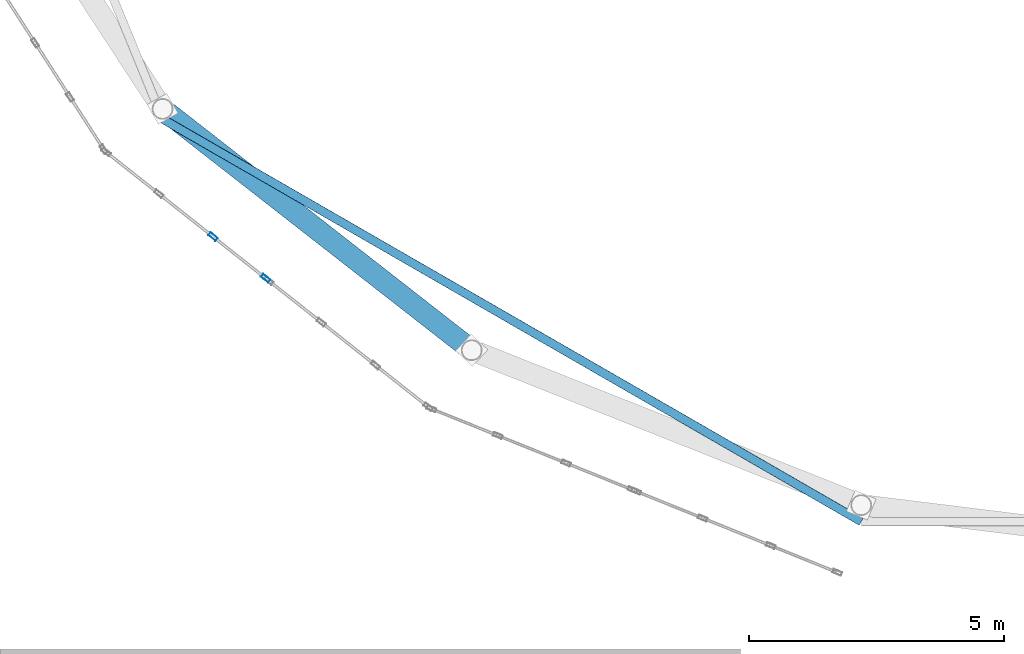
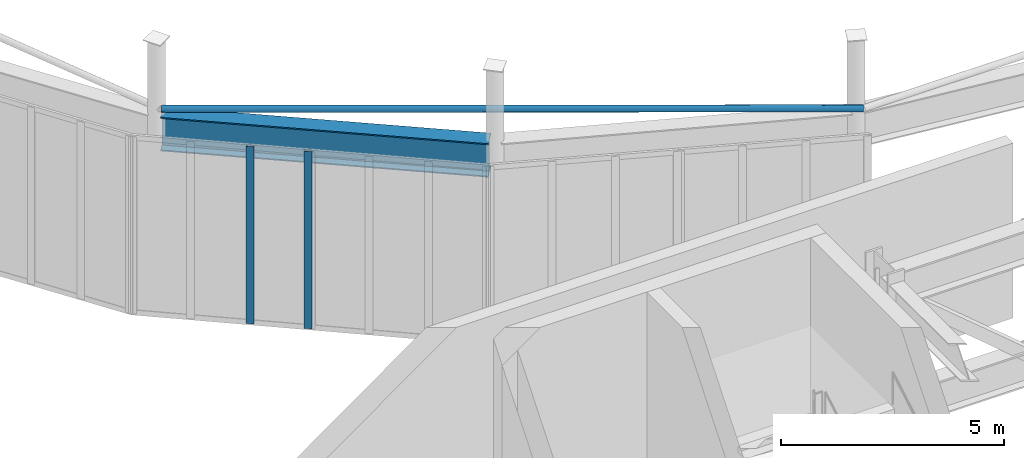
# One storey, part 26 of 91: 3 members, 1 beam, 1 element without a shape of its own.
"""IFC4 building model written with IfcOpenShell, lengths in metres."""

from ifc_helpers import new_model, si_unit, direction, frame, origin, origin_2d, place, context, subcontext, project, spatial, hollow_rectangle, hollow_circle, i_section, extrude, material, layer, layer_set, material_profile, profile_set, type_object, element, aggregate, save


model = new_model("IFC4")

# Units and contexts
model_context = context("Model", 3, precision=1e-05, world=origin(), true_north=direction((0.0, 1.0)))
body_context = subcontext(model_context, "Body", "Model", "MODEL_VIEW")
ifc_project = project(units=[si_unit("LENGTHUNIT", "METRE"), si_unit("AREAUNIT", "SQUARE_METRE"), si_unit("VOLUMEUNIT", "CUBIC_METRE"), si_unit("PLANEANGLEUNIT", "RADIAN"), si_unit("MASSUNIT", "GRAM", prefix="KILO")], contexts=[model_context])

# Site, building, storey
site_placement = place(None, origin())
site = spatial("IfcSite", under=ifc_project, at=site_placement, CompositionType="ELEMENT")
building_placement = place(site_placement, origin())
building = spatial("IfcBuilding", under=site, at=building_placement, Name="Sollismere Congress Hotel", CompositionType="ELEMENT")
storey_placement = place(building_placement, frame((0.0, 0.0, 10.800048828125)))
storey = spatial("IfcBuildingStorey", under=building, at=storey_placement, Name="L02", CompositionType="ELEMENT", Elevation=10.800048828125)

# Beam
ifc_material_1 = material(Name="Steel ASTM A992 Grade 50", Category="steel")
ifc_material_profile_1 = material_profile(ifc_material_1, i_section(OverallWidth=0.4189453125, OverallDepth=0.927001953125, WebThickness=0.019287109375, FlangeThickness=0.031982421875, at=origin_2d()), Name="W36X231")
ifc_profile_set_1 = profile_set([ifc_material_profile_1], Name="Steel ASTM A992 Grade 50")
beam_type = type_object("IfcBeamType", Name="BM-RG36", PredefinedType="SPANDREL", material=ifc_profile_set_1)
beam_placement = place(storey_placement, frame((6.968017578125, 77.777099609375, 4.156494140625), z_axis=(0.788263734949, -0.615337536775, 0.0), x_axis=(0.615337536775, 0.788263734949, 0.0)))
element("IfcBeam", 1, at=beam_placement, inside=storey, type_object=beam_type, Name="Beam BM-L02-4218", PredefinedType="SPANDREL", context=body_context, shape_type="SweptSolid", body=[
    extrude(i_section(OverallWidth=0.4189453125, OverallDepth=0.927001953125, WebThickness=0.019287109375, FlangeThickness=0.031982421875, at=origin_2d()), origin(), (0.0, 0.0, 1.0), 7.43603515625),
])

# Member
ifc_material_2 = material(Name="Steel ASTM A500 Grade C", Category="steel")
ifc_material_profile_2 = material_profile(ifc_material_2, hollow_circle(Radius=0.083984375, WallThickness=0.008056640625, at=origin_2d()), Name="CHS168X8")
ifc_profile_set_2 = profile_set([ifc_material_profile_2], Name="Steel ASTM A500 Grade C")
member_type_1 = type_object("IfcMemberType", Name="MB-TI168", PredefinedType="STRINGER", material=ifc_profile_set_2)
member_1_placement = place(storey_placement, frame((6.875732421875, 77.651611328125, 4.820068359375), z_axis=(0.86644482434, -0.499272837609, 0.0), x_axis=(0.499272837609, 0.86644482434, 0.0)))
element("IfcMember", 2, at=member_1_placement, inside=storey, type_object=member_type_1, Name="MEM-DT-07", PredefinedType="STRINGER", context=body_context, shape_type="SweptSolid", body=[
    extrude(hollow_circle(Radius=0.083984375, WallThickness=0.008056640625, at=origin_2d()), origin(), (0.0, 0.0, 1.0), 15.78125),
])

# Curtain wall, members
ifc_material_3 = material(Name="Anodized Bronze Curtain Wall & Low-E Triple Glazing", Category="glass")
ifc_layer = layer(ifc_material_3, 0.199951171875, Name="Anodized Bronze Curtain Wall & Low-E Triple Glazing")
ifc_layer_set = layer_set([ifc_layer], Name="Anodized Bronze Curtain Wall & Low-E Triple Glazing")
curtain_wall_type = type_object("IfcCurtainWallType", Name="CW-GLZ36", PredefinedType="USERDEFINED", material=ifc_layer_set)
curtain_wall_placement = place(storey_placement, origin())
curtain_wall = element("IfcCurtainWall", 3, at=curtain_wall_placement, inside=storey, type_object=curtain_wall_type, Name="Unitised curtain wall CW-L02-057", ObjectType="UNITISED CURTAIN WALL", PredefinedType="USERDEFINED")
ifc_material_4 = material(Name="Anodized Aluminum 6063-T6", Category="aluminium")
ifc_material_profile_3 = material_profile(ifc_material_4, hollow_rectangle(XDim=0.074951171875, YDim=0.179931640625, WallThickness=0.0048828125, at=origin_2d()), Name="ALU180X75X5")
ifc_profile_set_3 = profile_set([ifc_material_profile_3], Name="Anodized Aluminum 6063-T6")
member_type_2 = type_object("IfcMemberType", Name="ML-CW180", PredefinedType="MULLION", material=ifc_profile_set_3)
member_2_placement = place(storey_placement, frame((7.86083984375, 75.35009765625, 0.0), z_axis=(0.0, 0.0, 1.0), x_axis=(0.620532077362, 0.784181063891, 0.0)))
member_2 = element("IfcMember", 4, at=member_2_placement, type_object=member_type_2, Name="CWL-CW-L02-057-ML03", PredefinedType="MULLION", context=body_context, shape_type="SweptSolid", body=[
    extrude(hollow_rectangle(XDim=0.074951171875, YDim=0.179931640625, WallThickness=0.0048828125, at=origin_2d()), origin(), (0.0, 0.0, 1.0), 4.85986328125),
])
member_3_placement = place(storey_placement, frame((8.89111328125, 74.534912109375, 0.0), z_axis=(0.0, 0.0, 1.0), x_axis=(0.620532077362, 0.784181063891, 0.0)))
member_3 = element("IfcMember", 5, at=member_3_placement, type_object=member_type_2, Name="CWL-CW-L02-057-ML04", PredefinedType="MULLION", context=body_context, shape_type="SweptSolid", body=[
    extrude(hollow_rectangle(XDim=0.074951171875, YDim=0.179931640625, WallThickness=0.0048828125, at=origin_2d()), origin(), (0.0, 0.0, 1.0), 4.85986328125),
])
aggregate(curtain_wall, [member_2, member_3])

save(model, "model.ifc")
